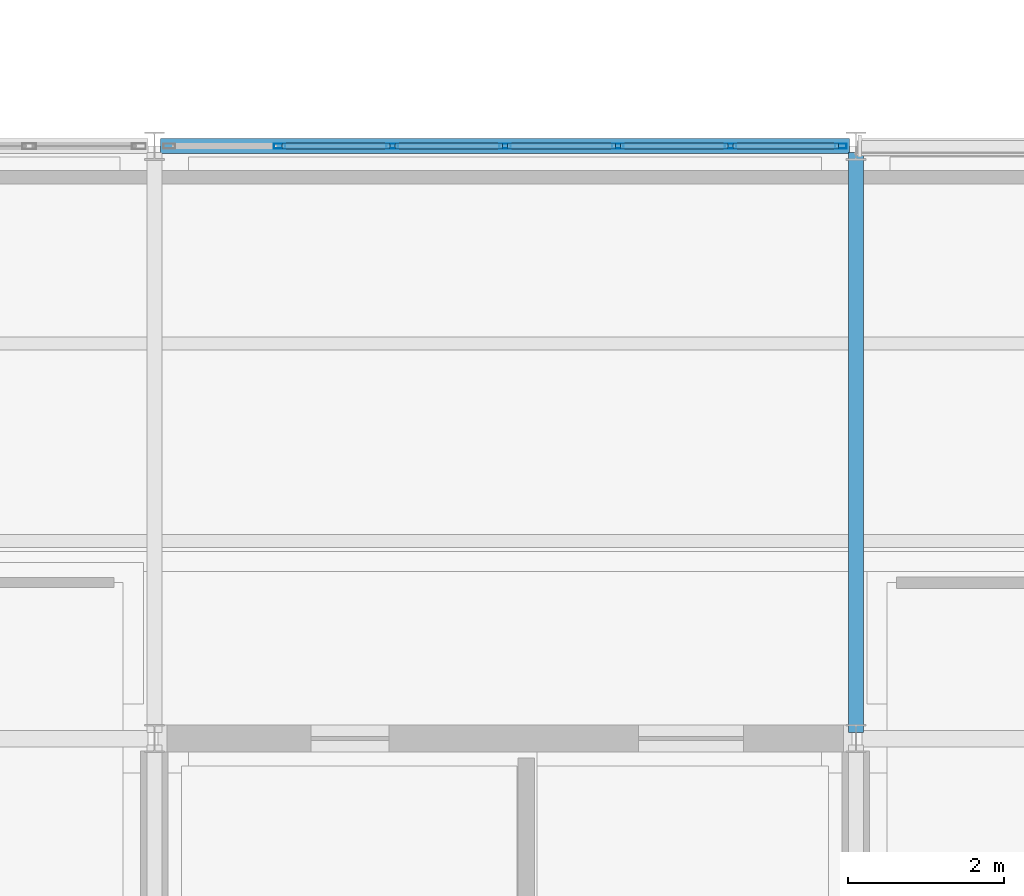
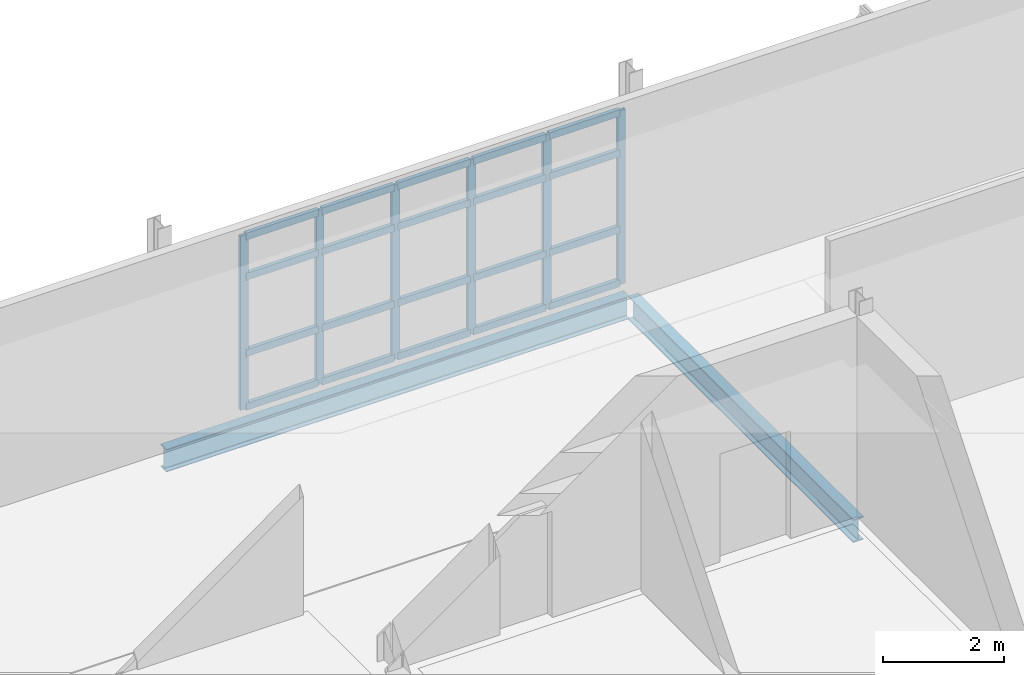
# One storey, part 24 of 96: 26 members, 2 beams, 1 element without a shape of its own.
"""IFC4 building model written with IfcOpenShell, lengths in metres."""

from ifc_helpers import new_model, si_unit, direction, frame, origin, origin_2d, place, context, subcontext, project, spatial, hollow_rectangle, i_section, extrude, material, material_profile, profile_set, type_object, element, aggregate, save


model = new_model("IFC4")

# Units and contexts
model_context = context("Model", 3, precision=1e-05, world=origin(), true_north=direction((0.0, 1.0)))
body_context = subcontext(model_context, "Body", "Model", "MODEL_VIEW")
ifc_project = project(units=[si_unit("LENGTHUNIT", "METRE"), si_unit("AREAUNIT", "SQUARE_METRE"), si_unit("VOLUMEUNIT", "CUBIC_METRE"), si_unit("PLANEANGLEUNIT", "RADIAN"), si_unit("MASSUNIT", "GRAM", prefix="KILO")], contexts=[model_context])

# Site, building, storey
site_placement = place(None, origin())
site = spatial("IfcSite", under=ifc_project, at=site_placement, CompositionType="ELEMENT")
building_placement = place(site_placement, origin())
building = spatial("IfcBuilding", under=site, at=building_placement, Name="Caisbarro Railhouse Central Library", CompositionType="ELEMENT")
storey_placement = place(building_placement, frame((0.0, 0.0, 13.679931640625)))
storey = spatial("IfcBuildingStorey", under=building, at=storey_placement, Name="L03", CompositionType="ELEMENT", Elevation=13.679931640625)

# Beams
ifc_material_1 = material(Name="Steel ASTM A572 Grade 50", Category="steel")
ifc_material_profile_1 = material_profile(ifc_material_1, i_section(OverallWidth=0.194091796875, OverallDepth=0.468994140625, WebThickness=0.0126953125, FlangeThickness=0.0205078125, FilletRadius=0.01806640625, at=origin_2d()), Name="W460X106.0")
ifc_profile_set_1 = profile_set([ifc_material_profile_1], Name="Steel ASTM A572 Grade 50")
beam_type_1 = type_object("IfcBeamType", Name="BM-G07", PredefinedType="BEAM", material=ifc_profile_set_1)
beam_1_placement = place(storey_placement, frame((72.0, 15.280029296875, -0.474365234375), z_axis=(0.0, 1.0, 0.0), x_axis=(-1.0, 0.0, 0.0)))
element("IfcBeam", 1, at=beam_1_placement, inside=storey, type_object=beam_type_1, Name="G07 beam L03 #1787", PredefinedType="BEAM", context=body_context, shape_type="SweptSolid", body=[
    extrude(i_section(OverallWidth=0.194091796875, OverallDepth=0.468994140625, WebThickness=0.0126953125, FlangeThickness=0.0205078125, FilletRadius=0.01806640625, at=origin_2d()), origin(), (0.0, 0.0, 1.0), 7.43994140625),
])
ifc_material_profile_2 = material_profile(ifc_material_1, i_section(OverallWidth=0.18994140625, OverallDepth=0.45703125, WebThickness=0.009033203125, FlangeThickness=0.014404296875, FilletRadius=0.01806640625, at=origin_2d()), Name="W460X74.0")
ifc_profile_set_2 = profile_set([ifc_material_profile_2], Name="Steel ASTM A572 Grade 50")
beam_type_2 = type_object("IfcBeamType", Name="BM-SP01", PredefinedType="SPANDREL", material=ifc_profile_set_2)
beam_2_placement = place(storey_placement, frame((63.080078125, 22.800048828125, -0.468505859375), z_axis=(1.0, 0.0, 0.0), x_axis=(0.0, 1.0, 0.0)))
element("IfcBeam", 2, at=beam_2_placement, inside=storey, type_object=beam_type_2, Name="SP01 beam L03 #1774", PredefinedType="SPANDREL", context=body_context, shape_type="SweptSolid", body=[
    extrude(i_section(OverallWidth=0.18994140625, OverallDepth=0.45703125, WebThickness=0.009033203125, FlangeThickness=0.014404296875, FilletRadius=0.01806640625, at=origin_2d()), origin(), (0.0, 0.0, 1.0), 8.83984375),
])

# Curtain wall, members
ifc_material_2 = material(Name="Anodised architectural aluminium", Category="aluminium")
curtain_wall_type = type_object("IfcCurtainWallType", Name="CW-CW02", PredefinedType="NOTDEFINED", material=ifc_material_2)
curtain_wall_placement = place(storey_placement, origin())
curtain_wall = element("IfcCurtainWall", 3, at=curtain_wall_placement, inside=storey, type_object=curtain_wall_type, Name="CW02 curtain wall L03 #63", PredefinedType="NOTDEFINED")
ifc_material_profile_3 = material_profile(ifc_material_2, hollow_rectangle(XDim=0.06494140625, YDim=0.14990234375, WallThickness=0.00390625, at=origin_2d()), Name="ALU-MUL-65X150")
ifc_profile_set_3 = profile_set([ifc_material_profile_3], Name="Anodised architectural aluminium")
member_type_1 = type_object("IfcMemberType", Name="CWM-M02", PredefinedType="MULLION", material=ifc_profile_set_3)
member_1_placement = place(storey_placement, frame((64.606689453125, 22.800048828125, 0.0), z_axis=(0.0, 0.0, 1.0), x_axis=(0.0, 1.0, 0.0)))
member_1 = element("IfcMember", 4, at=member_1_placement, type_object=member_type_1, Name="CW02 mullion 2", PredefinedType="MULLION", context=body_context, shape_type="SweptSolid", body=[
    extrude(hollow_rectangle(XDim=0.06494140625, YDim=0.14990234375, WallThickness=0.00390625, at=origin_2d()), origin(), (0.0, 0.0, 1.0), 3.510009765625),
])
member_2_placement = place(storey_placement, frame((66.05322265625, 22.800048828125, 0.0), z_axis=(0.0, 0.0, 1.0), x_axis=(0.0, 1.0, 0.0)))
member_2 = element("IfcMember", 5, at=member_2_placement, type_object=member_type_1, Name="CW02 mullion 3", PredefinedType="MULLION", context=body_context, shape_type="SweptSolid", body=[
    extrude(hollow_rectangle(XDim=0.06494140625, YDim=0.14990234375, WallThickness=0.00390625, at=origin_2d()), origin(), (0.0, 0.0, 1.0), 3.510009765625),
])
member_3_placement = place(storey_placement, frame((67.5, 22.800048828125, 0.0), z_axis=(0.0, 0.0, 1.0), x_axis=(0.0, 1.0, 0.0)))
member_3 = element("IfcMember", 6, at=member_3_placement, type_object=member_type_1, Name="CW02 mullion 4", PredefinedType="MULLION", context=body_context, shape_type="SweptSolid", body=[
    extrude(hollow_rectangle(XDim=0.06494140625, YDim=0.14990234375, WallThickness=0.00390625, at=origin_2d()), origin(), (0.0, 0.0, 1.0), 3.510009765625),
])
member_4_placement = place(storey_placement, frame((68.94677734375, 22.800048828125, 0.0), z_axis=(0.0, 0.0, 1.0), x_axis=(0.0, 1.0, 0.0)))
member_4 = element("IfcMember", 7, at=member_4_placement, type_object=member_type_1, Name="CW02 mullion 5", PredefinedType="MULLION", context=body_context, shape_type="SweptSolid", body=[
    extrude(hollow_rectangle(XDim=0.06494140625, YDim=0.14990234375, WallThickness=0.00390625, at=origin_2d()), origin(), (0.0, 0.0, 1.0), 3.510009765625),
])
member_5_placement = place(storey_placement, frame((70.393310546875, 22.800048828125, 0.0), z_axis=(0.0, 0.0, 1.0), x_axis=(0.0, 1.0, 0.0)))
member_5 = element("IfcMember", 8, at=member_5_placement, type_object=member_type_1, Name="CW02 mullion 6", PredefinedType="MULLION", context=body_context, shape_type="SweptSolid", body=[
    extrude(hollow_rectangle(XDim=0.06494140625, YDim=0.14990234375, WallThickness=0.00390625, at=origin_2d()), origin(), (0.0, 0.0, 1.0), 3.510009765625),
])
member_6_placement = place(storey_placement, frame((71.8076171875, 22.800048828125, 0.0), z_axis=(0.0, 0.0, 1.0), x_axis=(0.0, 1.0, 0.0)))
member_6 = element("IfcMember", 9, at=member_6_placement, type_object=member_type_1, Name="CW02 mullion 7", PredefinedType="MULLION", context=body_context, shape_type="SweptSolid", body=[
    extrude(hollow_rectangle(XDim=0.06494140625, YDim=0.14990234375, WallThickness=0.00390625, at=origin_2d()), origin(), (0.0, 0.0, 1.0), 3.510009765625),
])
ifc_material_profile_4 = material_profile(ifc_material_2, hollow_rectangle(XDim=0.074951171875, YDim=0.139892578125, WallThickness=0.00390625, at=origin_2d()), Name="ALU-TRN-75X140")
ifc_profile_set_4 = profile_set([ifc_material_profile_4], Name="Anodised architectural aluminium")
member_type_2 = type_object("IfcMemberType", Name="CWT-T01", PredefinedType="USERDEFINED", material=ifc_profile_set_4)
member_7_placement = place(storey_placement, frame((64.63916015625, 22.800048828125, 0.03759765625), z_axis=(1.0, 0.0, 0.0), x_axis=(0.0, 1.0, 0.0)))
member_7 = element("IfcMember", 10, at=member_7_placement, type_object=member_type_2, Name="CW02 transom 2.1", ObjectType="TRANSOM", PredefinedType="USERDEFINED", context=body_context, shape_type="SweptSolid", body=[
    extrude(hollow_rectangle(XDim=0.074951171875, YDim=0.139892578125, WallThickness=0.00390625, at=origin_2d()), origin(), (0.0, 0.0, 1.0), 1.381591796875),
])
member_8_placement = place(storey_placement, frame((64.63916015625, 22.800048828125, 1.1201171875), z_axis=(1.0, 0.0, 0.0), x_axis=(0.0, 1.0, 0.0)))
member_8 = element("IfcMember", 11, at=member_8_placement, type_object=member_type_2, Name="CW02 transom 2.2", ObjectType="TRANSOM", PredefinedType="USERDEFINED", context=body_context, shape_type="SweptSolid", body=[
    extrude(hollow_rectangle(XDim=0.074951171875, YDim=0.139892578125, WallThickness=0.00390625, at=origin_2d()), origin(), (0.0, 0.0, 1.0), 1.381591796875),
])
member_9_placement = place(storey_placement, frame((64.63916015625, 22.800048828125, 2.66015625), z_axis=(1.0, 0.0, 0.0), x_axis=(0.0, 1.0, 0.0)))
member_9 = element("IfcMember", 12, at=member_9_placement, type_object=member_type_2, Name="CW02 transom 2.3", ObjectType="TRANSOM", PredefinedType="USERDEFINED", context=body_context, shape_type="SweptSolid", body=[
    extrude(hollow_rectangle(XDim=0.074951171875, YDim=0.139892578125, WallThickness=0.00390625, at=origin_2d()), origin(), (0.0, 0.0, 1.0), 1.381591796875),
])
member_10_placement = place(storey_placement, frame((64.63916015625, 22.800048828125, 3.47265625), z_axis=(1.0, 0.0, 0.0), x_axis=(0.0, 1.0, 0.0)))
member_10 = element("IfcMember", 13, at=member_10_placement, type_object=member_type_2, Name="CW02 transom 2.4", ObjectType="TRANSOM", PredefinedType="USERDEFINED", context=body_context, shape_type="SweptSolid", body=[
    extrude(hollow_rectangle(XDim=0.074951171875, YDim=0.139892578125, WallThickness=0.00390625, at=origin_2d()), origin(), (0.0, 0.0, 1.0), 1.381591796875),
])
member_11_placement = place(storey_placement, frame((66.0859375, 22.800048828125, 0.03759765625), z_axis=(1.0, 0.0, 0.0), x_axis=(0.0, 1.0, 0.0)))
member_11 = element("IfcMember", 14, at=member_11_placement, type_object=member_type_2, Name="CW02 transom 3.1", ObjectType="TRANSOM", PredefinedType="USERDEFINED", context=body_context, shape_type="SweptSolid", body=[
    extrude(hollow_rectangle(XDim=0.074951171875, YDim=0.139892578125, WallThickness=0.00390625, at=origin_2d()), origin(), (0.0, 0.0, 1.0), 1.381591796875),
])
member_12_placement = place(storey_placement, frame((66.0859375, 22.800048828125, 1.1201171875), z_axis=(1.0, 0.0, 0.0), x_axis=(0.0, 1.0, 0.0)))
member_12 = element("IfcMember", 15, at=member_12_placement, type_object=member_type_2, Name="CW02 transom 3.2", ObjectType="TRANSOM", PredefinedType="USERDEFINED", context=body_context, shape_type="SweptSolid", body=[
    extrude(hollow_rectangle(XDim=0.074951171875, YDim=0.139892578125, WallThickness=0.00390625, at=origin_2d()), origin(), (0.0, 0.0, 1.0), 1.381591796875),
])
member_13_placement = place(storey_placement, frame((66.0859375, 22.800048828125, 2.66015625), z_axis=(1.0, 0.0, 0.0), x_axis=(0.0, 1.0, 0.0)))
member_13 = element("IfcMember", 16, at=member_13_placement, type_object=member_type_2, Name="CW02 transom 3.3", ObjectType="TRANSOM", PredefinedType="USERDEFINED", context=body_context, shape_type="SweptSolid", body=[
    extrude(hollow_rectangle(XDim=0.074951171875, YDim=0.139892578125, WallThickness=0.00390625, at=origin_2d()), origin(), (0.0, 0.0, 1.0), 1.381591796875),
])
member_14_placement = place(storey_placement, frame((66.0859375, 22.800048828125, 3.47265625), z_axis=(1.0, 0.0, 0.0), x_axis=(0.0, 1.0, 0.0)))
member_14 = element("IfcMember", 17, at=member_14_placement, type_object=member_type_2, Name="CW02 transom 3.4", ObjectType="TRANSOM", PredefinedType="USERDEFINED", context=body_context, shape_type="SweptSolid", body=[
    extrude(hollow_rectangle(XDim=0.074951171875, YDim=0.139892578125, WallThickness=0.00390625, at=origin_2d()), origin(), (0.0, 0.0, 1.0), 1.381591796875),
])
member_15_placement = place(storey_placement, frame((67.532470703125, 22.800048828125, 0.03759765625), z_axis=(1.0, 0.0, 0.0), x_axis=(0.0, 1.0, 0.0)))
member_15 = element("IfcMember", 18, at=member_15_placement, type_object=member_type_2, Name="CW02 transom 4.1", ObjectType="TRANSOM", PredefinedType="USERDEFINED", context=body_context, shape_type="SweptSolid", body=[
    extrude(hollow_rectangle(XDim=0.074951171875, YDim=0.139892578125, WallThickness=0.00390625, at=origin_2d()), origin(), (0.0, 0.0, 1.0), 1.381591796875),
])
member_16_placement = place(storey_placement, frame((67.532470703125, 22.800048828125, 1.1201171875), z_axis=(1.0, 0.0, 0.0), x_axis=(0.0, 1.0, 0.0)))
member_16 = element("IfcMember", 19, at=member_16_placement, type_object=member_type_2, Name="CW02 transom 4.2", ObjectType="TRANSOM", PredefinedType="USERDEFINED", context=body_context, shape_type="SweptSolid", body=[
    extrude(hollow_rectangle(XDim=0.074951171875, YDim=0.139892578125, WallThickness=0.00390625, at=origin_2d()), origin(), (0.0, 0.0, 1.0), 1.381591796875),
])
member_17_placement = place(storey_placement, frame((67.532470703125, 22.800048828125, 2.66015625), z_axis=(1.0, 0.0, 0.0), x_axis=(0.0, 1.0, 0.0)))
member_17 = element("IfcMember", 20, at=member_17_placement, type_object=member_type_2, Name="CW02 transom 4.3", ObjectType="TRANSOM", PredefinedType="USERDEFINED", context=body_context, shape_type="SweptSolid", body=[
    extrude(hollow_rectangle(XDim=0.074951171875, YDim=0.139892578125, WallThickness=0.00390625, at=origin_2d()), origin(), (0.0, 0.0, 1.0), 1.381591796875),
])
member_18_placement = place(storey_placement, frame((67.532470703125, 22.800048828125, 3.47265625), z_axis=(1.0, 0.0, 0.0), x_axis=(0.0, 1.0, 0.0)))
member_18 = element("IfcMember", 21, at=member_18_placement, type_object=member_type_2, Name="CW02 transom 4.4", ObjectType="TRANSOM", PredefinedType="USERDEFINED", context=body_context, shape_type="SweptSolid", body=[
    extrude(hollow_rectangle(XDim=0.074951171875, YDim=0.139892578125, WallThickness=0.00390625, at=origin_2d()), origin(), (0.0, 0.0, 1.0), 1.381591796875),
])
member_19_placement = place(storey_placement, frame((68.979248046875, 22.800048828125, 0.03759765625), z_axis=(1.0, 0.0, 0.0), x_axis=(0.0, 1.0, 0.0)))
member_19 = element("IfcMember", 22, at=member_19_placement, type_object=member_type_2, Name="CW02 transom 5.1", ObjectType="TRANSOM", PredefinedType="USERDEFINED", context=body_context, shape_type="SweptSolid", body=[
    extrude(hollow_rectangle(XDim=0.074951171875, YDim=0.139892578125, WallThickness=0.00390625, at=origin_2d()), origin(), (0.0, 0.0, 1.0), 1.381591796875),
])
member_20_placement = place(storey_placement, frame((68.979248046875, 22.800048828125, 1.1201171875), z_axis=(1.0, 0.0, 0.0), x_axis=(0.0, 1.0, 0.0)))
member_20 = element("IfcMember", 23, at=member_20_placement, type_object=member_type_2, Name="CW02 transom 5.2", ObjectType="TRANSOM", PredefinedType="USERDEFINED", context=body_context, shape_type="SweptSolid", body=[
    extrude(hollow_rectangle(XDim=0.074951171875, YDim=0.139892578125, WallThickness=0.00390625, at=origin_2d()), origin(), (0.0, 0.0, 1.0), 1.381591796875),
])
member_21_placement = place(storey_placement, frame((68.979248046875, 22.800048828125, 2.66015625), z_axis=(1.0, 0.0, 0.0), x_axis=(0.0, 1.0, 0.0)))
member_21 = element("IfcMember", 24, at=member_21_placement, type_object=member_type_2, Name="CW02 transom 5.3", ObjectType="TRANSOM", PredefinedType="USERDEFINED", context=body_context, shape_type="SweptSolid", body=[
    extrude(hollow_rectangle(XDim=0.074951171875, YDim=0.139892578125, WallThickness=0.00390625, at=origin_2d()), origin(), (0.0, 0.0, 1.0), 1.381591796875),
])
member_22_placement = place(storey_placement, frame((68.979248046875, 22.800048828125, 3.47265625), z_axis=(1.0, 0.0, 0.0), x_axis=(0.0, 1.0, 0.0)))
member_22 = element("IfcMember", 25, at=member_22_placement, type_object=member_type_2, Name="CW02 transom 5.4", ObjectType="TRANSOM", PredefinedType="USERDEFINED", context=body_context, shape_type="SweptSolid", body=[
    extrude(hollow_rectangle(XDim=0.074951171875, YDim=0.139892578125, WallThickness=0.00390625, at=origin_2d()), origin(), (0.0, 0.0, 1.0), 1.381591796875),
])
member_23_placement = place(storey_placement, frame((70.42578125, 22.800048828125, 0.03759765625), z_axis=(1.0, 0.0, 0.0), x_axis=(0.0, 1.0, 0.0)))
member_23 = element("IfcMember", 26, at=member_23_placement, type_object=member_type_2, Name="CW02 transom 6.1", ObjectType="TRANSOM", PredefinedType="USERDEFINED", context=body_context, shape_type="SweptSolid", body=[
    extrude(hollow_rectangle(XDim=0.074951171875, YDim=0.139892578125, WallThickness=0.00390625, at=origin_2d()), origin(), (0.0, 0.0, 1.0), 1.34912109375),
])
member_24_placement = place(storey_placement, frame((70.42578125, 22.800048828125, 1.1201171875), z_axis=(1.0, 0.0, 0.0), x_axis=(0.0, 1.0, 0.0)))
member_24 = element("IfcMember", 27, at=member_24_placement, type_object=member_type_2, Name="CW02 transom 6.2", ObjectType="TRANSOM", PredefinedType="USERDEFINED", context=body_context, shape_type="SweptSolid", body=[
    extrude(hollow_rectangle(XDim=0.074951171875, YDim=0.139892578125, WallThickness=0.00390625, at=origin_2d()), origin(), (0.0, 0.0, 1.0), 1.34912109375),
])
member_25_placement = place(storey_placement, frame((70.42578125, 22.800048828125, 2.66015625), z_axis=(1.0, 0.0, 0.0), x_axis=(0.0, 1.0, 0.0)))
member_25 = element("IfcMember", 28, at=member_25_placement, type_object=member_type_2, Name="CW02 transom 6.3", ObjectType="TRANSOM", PredefinedType="USERDEFINED", context=body_context, shape_type="SweptSolid", body=[
    extrude(hollow_rectangle(XDim=0.074951171875, YDim=0.139892578125, WallThickness=0.00390625, at=origin_2d()), origin(), (0.0, 0.0, 1.0), 1.34912109375),
])
member_26_placement = place(storey_placement, frame((70.42578125, 22.800048828125, 3.47265625), z_axis=(1.0, 0.0, 0.0), x_axis=(0.0, 1.0, 0.0)))
member_26 = element("IfcMember", 29, at=member_26_placement, type_object=member_type_2, Name="CW02 transom 6.4", ObjectType="TRANSOM", PredefinedType="USERDEFINED", context=body_context, shape_type="SweptSolid", body=[
    extrude(hollow_rectangle(XDim=0.074951171875, YDim=0.139892578125, WallThickness=0.00390625, at=origin_2d()), origin(), (0.0, 0.0, 1.0), 1.34912109375),
])
aggregate(curtain_wall, [member_1, member_2, member_3, member_4, member_5, member_6, member_7, member_8, member_9, member_10, member_11, member_12, member_13, member_14, member_15, member_16, member_17, member_18, member_19, member_20, member_21, member_22, member_23, member_24, member_25, member_26])

save(model, "model.ifc")
